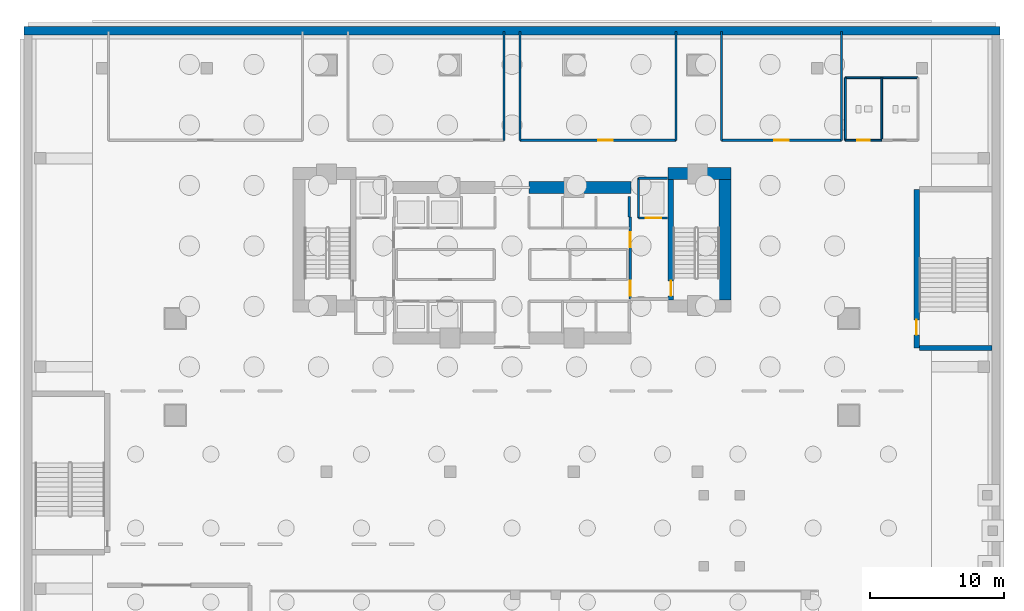
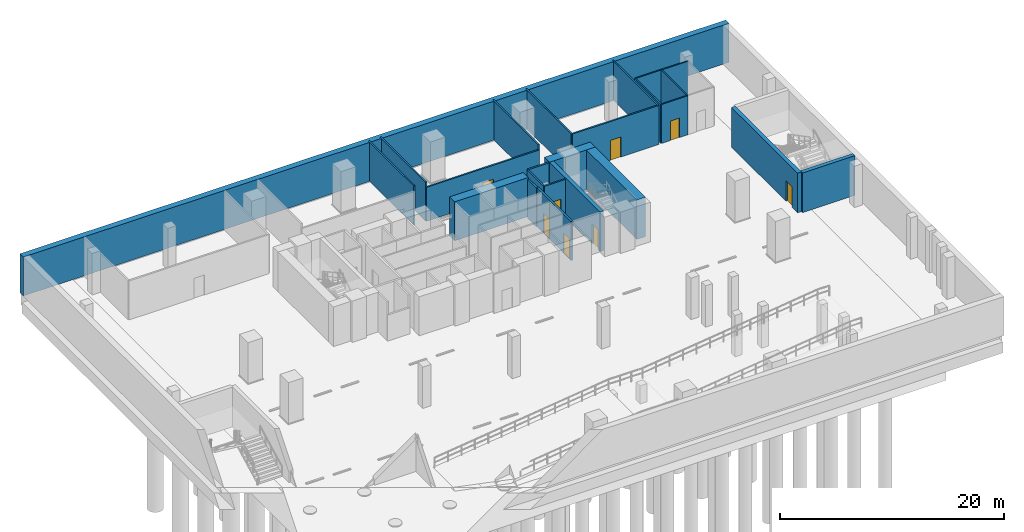
# One storey, part 5 of 13: 23 walls, 8 doors, 8 openings.
"""IFC4 building model written with IfcOpenShell, lengths in metres."""

from ifc_helpers import new_model, si_unit, direction, frame, frame_2d, origin, place, context, subcontext, project, spatial, rectangle, extrude, material, layer, layer_set, type_object, element, fill, save


model = new_model("IFC4")

# Units and contexts
model_context = context("Model", 3, precision=1e-05, world=origin(), true_north=direction((0.0, 1.0)))
body_context = subcontext(model_context, "Body", "Model", "MODEL_VIEW")
ifc_project = project(units=[si_unit("LENGTHUNIT", "METRE"), si_unit("AREAUNIT", "SQUARE_METRE"), si_unit("VOLUMEUNIT", "CUBIC_METRE"), si_unit("PLANEANGLEUNIT", "RADIAN"), si_unit("MASSUNIT", "GRAM", prefix="KILO")], contexts=[model_context])

# Site, building, storey
site_placement = place(None, origin())
site = spatial("IfcSite", under=ifc_project, at=site_placement, CompositionType="ELEMENT")
building_placement = place(site_placement, origin())
building = spatial("IfcBuilding", under=site, at=building_placement, Name="Zuhayl Quay Hotel", CompositionType="ELEMENT")
storey_placement = place(building_placement, frame((0.0, 0.0, -9.0)))
storey = spatial("IfcBuildingStorey", under=building, at=storey_placement, Name="B2", CompositionType="ELEMENT", Elevation=-9.0)

# Walls
ifc_material_1 = material(Name="Concrete C70/85", Category="concrete")
ifc_layer_1 = layer(ifc_material_1, 0.89990234375, Name="Concrete C70/85", Category="concrete")
ifc_layer_set_1 = layer_set([ifc_layer_1], Name="Concrete C70/85")
wall_type_1 = type_object("IfcWallType", Name="WL_CORE_900", PredefinedType="SHEAR", material=ifc_layer_set_1)
wall_1_placement = place(storey_placement, frame((11.60009765625, 14.3798828125, 0.0), z_axis=(0.0, 0.0, 1.0), x_axis=(1.0, 0.0, 0.0)))
element("IfcWall", 1, at=wall_1_placement, inside=storey, type_object=wall_type_1, Name="B2 Core Shear Wall CW_NE", PredefinedType="SHEAR", context=body_context, shape_type="SweptSolid", body=[
    extrude(rectangle(XDim=4.7099609375, YDim=0.89990234375, at=frame_2d((2.35498046875, 0.0))), origin(), (0.0, 0.0, 1.0), 4.31005859375),
])
wall_2_placement = place(storey_placement, frame((15.860107421875, 4.969970703125, 0.0), z_axis=(0.0, 0.0, 1.0), x_axis=(0.0, 1.0, 0.0)))
element("IfcWall", 2, at=wall_2_placement, inside=storey, type_object=wall_type_1, Name="B2 Core Shear Wall CW_E", PredefinedType="SHEAR", context=body_context, shape_type="SweptSolid", body=[
    extrude(rectangle(XDim=8.9599609375, YDim=0.89990234375, at=frame_2d((4.47998046875, 0.0))), origin(), (0.0, 0.0, 1.0), 4.31005859375),
])
wall_3_placement = place(storey_placement, frame((1.25, 13.35009765625, 0.0), z_axis=(0.0, 0.0, 1.0), x_axis=(1.0, 0.0, 0.0)))
element("IfcWall", 3, at=wall_3_placement, inside=storey, type_object=wall_type_1, Name="B2 Core Shear Wall CW_NC_E", PredefinedType="SHEAR", context=body_context, shape_type="SweptSolid", body=[
    extrude(rectangle(XDim=7.60009765625, YDim=0.89990234375, at=frame_2d((3.800048828125, 0.0))), origin(), (0.0, 0.0, 1.0), 4.239990234375),
])
ifc_material_2 = material(Name="Acoustic Gypsum Partition STC-58")
ifc_layer_2 = layer(ifc_material_2, 0.14990234375, Name="Acoustic Gypsum Partition STC-58")
ifc_layer_set_2 = layer_set([ifc_layer_2], Name="Acoustic Gypsum Partition STC-58")
wall_type_2 = type_object("IfcWallType", Name="WL_PART_150", PredefinedType="PARTITIONING", material=ifc_layer_set_2)
for number, where, z_axis, x_axis, name in (
    (4, (-0.60009765625, 16.85009765625, 0.0), (0.0, 0.0, 1.0), (0.0, 1.0, 0.0), "B2 Partition IW_B2_FIREPUMP_E"),
    (5, (0.60009765625, 16.85009765625, 0.0), (0.0, 0.0, 1.0), (0.0, 1.0, 0.0), "B2 Partition IW_B2_SUBSTAT_W"),
    (6, (12.199951171875, 16.85009765625, 0.0), (0.0, 0.0, 1.0), (0.0, 1.0, 0.0), "B2 Partition IW_B2_SUBSTAT_E"),
    (7, (15.60009765625, 16.85009765625, 0.0), (0.0, 0.0, 1.0), (0.0, 1.0, 0.0), "B2 Partition IW_B2_WATER_W"),
    (8, (24.5, 16.85009765625, 0.0), (0.0, 0.0, 1.0), (0.0, 1.0, 0.0), "B2 Partition IW_B2_WATER_E"),
):
    element("IfcWall", number, at=place(storey_placement, frame(where, z_axis=z_axis, x_axis=x_axis)), inside=storey, type_object=wall_type_2, Name=name, PredefinedType="PARTITIONING", context=body_context, shape_type="SweptSolid", body=[
        extrude(rectangle(XDim=8.08984375, YDim=0.14990234375, at=frame_2d((4.044921875, 0.0))), origin(), (0.0, 0.0, 1.0), 4.239990234375),
    ])

# Wall, opening, door
ifc_layer_3 = layer(ifc_material_2, 0.159912109375, Name="Acoustic Gypsum Partition STC-58")
ifc_layer_set_3 = layer_set([ifc_layer_3], Name="Acoustic Gypsum Partition STC-58")
wall_type_3 = type_object("IfcWallType", Name="WL_PART_CORR_160", PredefinedType="PARTITIONING", material=ifc_layer_set_3)
wall_4_placement = place(storey_placement, frame((0.60009765625, 16.85009765625, 0.0), z_axis=(0.0, 0.0, 1.0), x_axis=(1.0, 0.0, 0.0)))
wall_4 = element("IfcWall", 9, at=wall_4_placement, inside=storey, type_object=wall_type_3, Name="B2 Partition IW_B2_SUBSTAT_S", PredefinedType="PARTITIONING", context=body_context, shape_type="SweptSolid", body=[
    extrude(rectangle(XDim=11.599853515625, YDim=0.159912109375, at=frame_2d((5.7998046875, 0.0))), origin(), (0.0, 0.0, 1.0), 3.70703125),
])
opening_1_placement = place(wall_4_placement, frame((5.81005859375, 0.0, 0.0)))
opening_1 = element("IfcOpeningElement", 10, at=opening_1_placement, cuts=wall_4, Name="Opening D05A", PredefinedType="OPENING", context=body_context, shape_type="SweptSolid", body=[
    extrude(rectangle(XDim=1.080078125, YDim=2.179931640625, at=frame_2d((0.5400390625, 1.08984375))), frame((0.0, 0.08984375, 0.0), z_axis=(0.0, -1.0, 0.0), x_axis=(1.0, 0.0, 0.0)), (0.0, 0.0, 1.0), 0.179931640625),
])
ifc_material_3 = material(Name="Solid Walnut Acoustic Fire Door")
door_type_1 = type_object("IfcDoorType", Name="DR_INT_1100", OperationType="NOTDEFINED", PredefinedType="DOOR", material=ifc_material_3)
door_1_placement = place(opening_1_placement, origin())
door_1 = element("IfcDoor", 11, at=door_1_placement, inside=storey, type_object=door_type_1, Name="B2 HV Electrical Substation Door", OperationType="SINGLE_SWING_RIGHT", OverallHeight=2.179931640625, OverallWidth=1.080078125, PredefinedType="DOOR", context=body_context, shape_type="SweptSolid", body=[
    extrude(rectangle(XDim=1.080078125, YDim=2.179931640625, at=frame_2d((0.5400390625, 1.08984375))), frame((0.0, 0.02490234375, 0.0), z_axis=(0.0, -1.0, 0.0), x_axis=(1.0, 0.0, 0.0)), (0.0, 0.0, 1.0), 0.050048828125),
])
fill(opening_1, door_1)

wall_5_placement = place(storey_placement, frame((15.60009765625, 16.85009765625, 0.0), z_axis=(0.0, 0.0, 1.0), x_axis=(1.0, 0.0, 0.0)))
wall_5 = element("IfcWall", 12, at=wall_5_placement, inside=storey, type_object=wall_type_3, Name="B2 Partition IW_B2_WATER_S", PredefinedType="PARTITIONING", context=body_context, shape_type="SweptSolid", body=[
    extrude(rectangle(XDim=8.89990234375, YDim=0.159912109375, at=frame_2d((4.449951171875, 0.0))), origin(), (0.0, 0.0, 1.0), 4.239990234375),
])
opening_2_placement = place(wall_5_placement, frame((3.909912109375, 0.0, 0.0)))
opening_2 = element("IfcOpeningElement", 13, at=opening_2_placement, cuts=wall_5, Name="Opening D05A", PredefinedType="OPENING", context=body_context, shape_type="SweptSolid", body=[
    extrude(rectangle(XDim=1.080078125, YDim=2.179931640625, at=frame_2d((0.5400390625, 1.08984375))), frame((0.0, 0.08984375, 0.0), z_axis=(0.0, -1.0, 0.0), x_axis=(1.0, 0.0, 0.0)), (0.0, 0.0, 1.0), 0.179931640625),
])
door_2_placement = place(opening_2_placement, origin())
door_2 = element("IfcDoor", 14, at=door_2_placement, inside=storey, type_object=door_type_1, Name="B2 Domestic Water Treatment Plant Door", OperationType="SINGLE_SWING_LEFT", OverallHeight=2.179931640625, OverallWidth=1.080078125, PredefinedType="DOOR", context=body_context, shape_type="SweptSolid", body=[
    extrude(rectangle(XDim=1.080078125, YDim=2.179931640625, at=frame_2d((0.5400390625, 1.08984375))), frame((0.0, 0.02490234375, 0.0), z_axis=(0.0, -1.0, 0.0), x_axis=(1.0, 0.0, 0.0)), (0.0, 0.0, 1.0), 0.050048828125),
])
fill(opening_2, door_2)

ifc_material_4 = material(Name="Moisture-Resistant Sanitarychase Gypsum")
ifc_layer_4 = layer(ifc_material_4, 0.135009765625, Name="Moisture-Resistant Sanitarychase Gypsum")
ifc_layer_set_4 = layer_set([ifc_layer_4], Name="Moisture-Resistant Sanitarychase Gypsum")
wall_type_4 = type_object("IfcWallType", Name="WL_PART_PLUMB_150", PredefinedType="PLUMBINGWALL", material=ifc_layer_set_4)
wall_6_placement = place(storey_placement, frame((24.800048828125, 16.85009765625, 0.0), z_axis=(0.0, 0.0, 1.0), x_axis=(1.0, 0.0, 0.0)))
wall_6 = element("IfcWall", 15, at=wall_6_placement, inside=storey, type_object=wall_type_4, Name="B2 Partition IW_B2_BWC_PUB_F", PredefinedType="PLUMBINGWALL", context=body_context, shape_type="SweptSolid", body=[
    extrude(rectangle(XDim=2.699951171875, YDim=0.135009765625, at=frame_2d((1.35009765625, 0.0))), origin(), (0.0, 0.0, 1.0), 4.239990234375),
])
opening_3_placement = place(wall_6_placement, frame((0.889892578125, 0.0, 0.0)))
opening_3 = element("IfcOpeningElement", 16, at=opening_3_placement, cuts=wall_6, Name="Opening D05", PredefinedType="OPENING", context=body_context, shape_type="SweptSolid", body=[
    extrude(rectangle(XDim=0.919921875, YDim=2.1201171875, at=frame_2d((0.4599609375, 1.06005859375))), frame((0.0, 0.077392578125, 0.0), z_axis=(0.0, -1.0, 0.0), x_axis=(1.0, 0.0, 0.0)), (0.0, 0.0, 1.0), 0.155029296875),
])
door_type_2 = type_object("IfcDoorType", Name="DR_INT_950", OperationType="NOTDEFINED", PredefinedType="DOOR", material=ifc_material_3)
door_3_placement = place(opening_3_placement, origin())
door_3 = element("IfcDoor", 17, at=door_3_placement, inside=storey, type_object=door_type_2, Name="B2 Public Restroom Door", OperationType="SINGLE_SWING_RIGHT", OverallHeight=2.1201171875, OverallWidth=0.919921875, PredefinedType="DOOR", context=body_context, shape_type="SweptSolid", body=[
    extrude(rectangle(XDim=0.919921875, YDim=2.1201171875, at=frame_2d((0.4599609375, 1.06005859375))), frame((0.0, 0.02490234375, 0.0), z_axis=(0.0, -1.0, 0.0), x_axis=(1.0, 0.0, 0.0)), (0.0, 0.0, 1.0), 0.050048828125),
])
fill(opening_3, door_3)

# Walls
wall_7_placement = place(storey_placement, frame((24.800048828125, 21.5, 0.0), z_axis=(0.0, 0.0, 1.0), x_axis=(1.0, 0.0, 0.0)))
element("IfcWall", 18, at=wall_7_placement, inside=storey, type_object=wall_type_4, Name="B2 Partition IW_B2_BWC_BK", PredefinedType="PLUMBINGWALL", context=body_context, shape_type="SweptSolid", body=[
    extrude(rectangle(XDim=5.39990234375, YDim=0.135009765625, at=frame_2d((2.699951171875, 0.0))), origin(), (0.0, 0.0, 1.0), 4.239990234375),
])
for number, where, z_axis, x_axis, name in (
    (19, (24.800048828125, 16.85009765625, 0.0), (0.0, 0.0, 1.0), (0.0, 1.0, 0.0), "B2 Partition IW_B2_BWC_W"),
    (20, (27.5, 16.85009765625, 0.0), (0.0, 0.0, 1.0), (0.0, 1.0, 0.0), "B2 Partition IW_B2_BWC_DIV"),
):
    element("IfcWall", number, at=place(storey_placement, frame(where, z_axis=z_axis, x_axis=x_axis)), inside=storey, type_object=wall_type_4, Name=name, PredefinedType="PLUMBINGWALL", context=body_context, shape_type="SweptSolid", body=[
        extrude(rectangle(XDim=4.64990234375, YDim=0.135009765625, at=frame_2d((2.324951171875, 0.0))), origin(), (0.0, 0.0, 1.0), 4.239990234375),
    ])

# Wall, opening, door
ifc_material_5 = material(Name="Gypsum Fireboard Assembly EI-90")
ifc_layer_5 = layer(ifc_material_5, 0.1650390625, Name="Gypsum Fireboard Assembly EI-90")
ifc_layer_set_5 = layer_set([ifc_layer_5], Name="Gypsum Fireboard Assembly EI-90")
wall_type_5 = type_object("IfcWallType", Name="WL_PART_SHAFT_160", PredefinedType="PARTITIONING", material=ifc_layer_set_5)
wall_8_placement = place(storey_placement, frame((9.419921875, 11.070068359375, 0.0), z_axis=(0.0, 0.0, 1.0), x_axis=(1.0, 0.0, 0.0)))
wall_8 = element("IfcWall", 21, at=wall_8_placement, inside=storey, type_object=wall_type_5, Name="B2 Partition IW_B2_SH_FL2_F", PredefinedType="PARTITIONING", context=body_context, shape_type="SweptSolid", body=[
    extrude(rectangle(XDim=2.16015625, YDim=0.1650390625, at=frame_2d((1.080078125, 0.0))), origin(), (0.0, 0.0, 1.0), 4.239990234375),
])
opening_4_placement = place(wall_8_placement, frame((0.530029296875, 0.0, 0.0)))
opening_4 = element("IfcOpeningElement", 22, at=opening_4_placement, cuts=wall_8, Name="Opening LD2", PredefinedType="OPENING", context=body_context, shape_type="SweptSolid", body=[
    extrude(rectangle(XDim=1.14990234375, YDim=2.25, at=frame_2d((0.574951171875, 1.125))), frame((0.0, 0.092529296875, 0.0), z_axis=(0.0, -1.0, 0.0), x_axis=(1.0, 0.0, 0.0)), (0.0, 0.0, 1.0), 0.18505859375),
])
ifc_material_6 = material(Name="Brushed Stainless Steel", Category="steel")
door_type_3 = type_object("IfcDoorType", Name="DR_LIFT_FF_1100", OperationType="SLIDING_TO_LEFT", PredefinedType="DOOR", material=ifc_material_6)
door_4_placement = place(opening_4_placement, origin())
door_4 = element("IfcDoor", 23, at=door_4_placement, inside=storey, type_object=door_type_3, Name="B2 Lift FL2 Sliding Landing Door", OperationType="SLIDING_TO_LEFT", OverallHeight=2.25, OverallWidth=1.14990234375, PredefinedType="DOOR", context=body_context, shape_type="SweptSolid", body=[
    extrude(rectangle(XDim=1.14990234375, YDim=2.25, at=frame_2d((0.574951171875, 1.125))), frame((0.0, 0.02490234375, 0.0), z_axis=(0.0, -1.0, 0.0), x_axis=(1.0, 0.0, 0.0)), (0.0, 0.0, 1.0), 0.050048828125),
])
fill(opening_4, door_4)

# Walls
wall_9_placement = place(storey_placement, frame((9.419921875, 11.070068359375, 0.0), z_axis=(0.0, 0.0, 1.0), x_axis=(0.0, 1.0, 0.0)))
element("IfcWall", 24, at=wall_9_placement, inside=storey, type_object=wall_type_5, Name="B2 Partition IW_B2_SH_FL2_W", PredefinedType="PARTITIONING", context=body_context, shape_type="SweptSolid", body=[
    extrude(rectangle(XDim=2.9599609375, YDim=0.1650390625, at=frame_2d((1.47998046875, 0.0))), origin(), (0.0, 0.0, 1.0), 4.239990234375),
])
wall_10_placement = place(storey_placement, frame((9.419921875, 14.030029296875, 0.0), z_axis=(0.0, 0.0, 1.0), x_axis=(1.0, 0.0, 0.0)))
element("IfcWall", 25, at=wall_10_placement, inside=storey, type_object=wall_type_5, Name="B2 Partition IW_B2_SH_FL2_B", PredefinedType="PARTITIONING", context=body_context, shape_type="SweptSolid", body=[
    extrude(rectangle(XDim=2.16015625, YDim=0.1650390625, at=frame_2d((1.080078125, 0.0))), origin(), (0.0, 0.0, 1.0), 4.239990234375),
])
wall_11_placement = place(storey_placement, frame((8.72998046875, 11.14990234375, 0.0), z_axis=(0.0, 0.0, 1.0), x_axis=(0.0, 1.0, 0.0)))
element("IfcWall", 26, at=wall_11_placement, inside=storey, type_object=wall_type_5, Name="B2 Partition IW_B2_SH_HP4_E", PredefinedType="PARTITIONING", context=body_context, shape_type="SweptSolid", body=[
    extrude(rectangle(XDim=1.530029296875, YDim=0.1650390625, at=frame_2d((0.76513671875, 0.0))), origin(), (0.0, 0.0, 1.0), 4.239990234375),
])

# Wall, openings, doors
ifc_material_7 = material(Name="Gypsum Fireboard Assembly EI-120")
ifc_layer_6 = layer(ifc_material_7, 0.199951171875, Name="Gypsum Fireboard Assembly EI-120")
ifc_layer_set_6 = layer_set([ifc_layer_6], Name="Gypsum Fireboard Assembly EI-120")
wall_type_6 = type_object("IfcWallType", Name="WL_PART_SHAFT_200", PredefinedType="PARTITIONING", material=ifc_layer_set_6)
wall_12_placement = place(storey_placement, frame((8.800048828125, 11.14990234375, 0.0), z_axis=(0.0, 0.0, 1.0), x_axis=(0.0, -1.0, 0.0)))
wall_12 = element("IfcWall", 27, at=wall_12_placement, inside=storey, type_object=wall_type_6, Name="B2 Partition IW_B2_FSAE_E_W", PredefinedType="PARTITIONING", context=body_context, shape_type="SweptSolid", body=[
    extrude(rectangle(XDim=6.099853515625, YDim=0.199951171875, at=frame_2d((3.0498046875, 0.0))), origin(), (0.0, 0.0, 1.0), 4.239990234375),
])
opening_5_placement = place(wall_12_placement, frame((1.14990234375, 0.0, 0.0)))
opening_5 = element("IfcOpeningElement", 28, at=opening_5_placement, cuts=wall_12, Name="Opening D02", PredefinedType="OPENING", context=body_context, shape_type="SweptSolid", body=[
    extrude(rectangle(XDim=1.10009765625, YDim=2.199951171875, at=frame_2d((0.550048828125, 1.10009765625))), frame((0.0, 0.10986328125, 0.0), z_axis=(0.0, -1.0, 0.0), x_axis=(1.0, 0.0, 0.0)), (0.0, 0.0, 1.0), 0.219970703125),
])
opening_6_placement = place(wall_12_placement, frame((4.75, 0.0, 0.0)))
opening_6 = element("IfcOpeningElement", 29, at=opening_6_placement, cuts=wall_12, Name="Opening D02", PredefinedType="OPENING", context=body_context, shape_type="SweptSolid", body=[
    extrude(rectangle(XDim=1.10009765625, YDim=2.199951171875, at=frame_2d((0.550048828125, 1.10009765625))), frame((0.0, 0.10986328125, 0.0), z_axis=(0.0, -1.0, 0.0), x_axis=(1.0, 0.0, 0.0)), (0.0, 0.0, 1.0), 0.219970703125),
])
ifc_material_8 = material(Name="Steel ASTM A992 Grade 50", Category="steel")
door_type_4 = type_object("IfcDoorType", Name="DR_FIRE_90_1100", OperationType="NOTDEFINED", PredefinedType="DOOR", material=ifc_material_8)
door_5_placement = place(opening_5_placement, origin())
door_5 = element("IfcDoor", 30, at=door_5_placement, inside=storey, type_object=door_type_4, Name="B2 FSAE Lobby East North Entry Door", OperationType="SINGLE_SWING_RIGHT", OverallHeight=2.199951171875, OverallWidth=1.10009765625, PredefinedType="DOOR", context=body_context, shape_type="SweptSolid", body=[
    extrude(rectangle(XDim=1.10009765625, YDim=2.199951171875, at=frame_2d((0.550048828125, 1.10009765625))), frame((0.0, 0.02490234375, 0.0), z_axis=(0.0, -1.0, 0.0), x_axis=(1.0, 0.0, 0.0)), (0.0, 0.0, 1.0), 0.050048828125),
])
fill(opening_5, door_5)
door_6_placement = place(opening_6_placement, origin())
door_6 = element("IfcDoor", 31, at=door_6_placement, inside=storey, type_object=door_type_4, Name="B2 FSAE Lobby East South Entry Door", OperationType="SINGLE_SWING_LEFT", OverallHeight=2.199951171875, OverallWidth=1.10009765625, PredefinedType="DOOR", context=body_context, shape_type="SweptSolid", body=[
    extrude(rectangle(XDim=1.10009765625, YDim=2.199951171875, at=frame_2d((0.550048828125, 1.10009765625))), frame((0.0, 0.02490234375, 0.0), z_axis=(0.0, -1.0, 0.0), x_axis=(1.0, 0.0, 0.0)), (0.0, 0.0, 1.0), 0.050048828125),
])
fill(opening_6, door_6)

# Wall
ifc_material_9 = material(Name="Concrete C50/60", Category="concrete")
ifc_layer_7 = layer(ifc_material_9, 0.60009765625, Name="Concrete C50/60", Category="concrete")
ifc_layer_set_7 = layer_set([ifc_layer_7], Name="Concrete C50/60")
wall_type_7 = type_object("IfcWallType", Name="WL_RET_600", PredefinedType="USERDEFINED", material=ifc_layer_set_7)
wall_13_placement = place(storey_placement, frame((-36.300048828125, 25.0, 0.0), z_axis=(0.0, 0.0, 1.0), x_axis=(1.0, 0.0, 0.0)))
element("IfcWall", 32, at=wall_13_placement, inside=storey, type_object=wall_type_7, Name="B2 Basement Retaining Wall N", ObjectType="RETAINING WALL", PredefinedType="USERDEFINED", context=body_context, shape_type="SweptSolid", body=[
    extrude(rectangle(XDim=72.60009765625, YDim=0.60009765625, at=frame_2d((36.300048828125, 0.0))), origin(), (0.0, 0.0, 1.0), 4.239990234375),
])

# Wall, opening, door
ifc_material_10 = material(Name="Concrete C60/75", Category="concrete")
ifc_layer_8 = layer(ifc_material_10, 0.39990234375, Name="Concrete C60/75", Category="concrete")
ifc_layer_set_8 = layer_set([ifc_layer_8], Name="Concrete C60/75")
wall_type_8 = type_object("IfcWallType", Name="WL_STAIR_400", PredefinedType="SHEAR", material=ifc_layer_set_8)
wall_14_placement = place(storey_placement, frame((11.820068359375, 13.929931640625, 0.0), z_axis=(0.0, 0.0, 1.0), x_axis=(0.0, -1.0, 0.0)))
wall_14 = element("IfcWall", 33, at=wall_14_placement, inside=storey, type_object=wall_type_8, Name="B2 Core Shear Wall SW_ST2", PredefinedType="SHEAR", context=body_context, shape_type="SweptSolid", body=[
    extrude(rectangle(XDim=8.9599609375, YDim=0.39990234375, at=frame_2d((4.47998046875, 0.0))), origin(), (0.0, 0.0, 1.0), 4.31005859375),
])
opening_7_placement = place(wall_14_placement, frame((7.530029296875, 0.0, 0.0)))
opening_7 = element("IfcOpeningElement", 34, at=opening_7_placement, cuts=wall_14, Name="Opening D01", PredefinedType="OPENING", context=body_context, shape_type="SweptSolid", body=[
    extrude(rectangle(XDim=1.1201171875, YDim=2.219970703125, at=frame_2d((0.56005859375, 1.10986328125))), frame((0.0, 0.2099609375, 0.0), z_axis=(0.0, -1.0, 0.0), x_axis=(1.0, 0.0, 0.0)), (0.0, 0.0, 1.0), 0.419921875),
])
door_type_5 = type_object("IfcDoorType", Name="DR_STAIR_90_1100", OperationType="NOTDEFINED", PredefinedType="DOOR", material=ifc_material_8)
door_7_placement = place(opening_7_placement, origin())
door_7 = element("IfcDoor", 35, at=door_7_placement, inside=storey, type_object=door_type_5, Name="B2 Smokeproof Exit Stair ST2 Door", OperationType="SINGLE_SWING_RIGHT", OverallHeight=2.219970703125, OverallWidth=1.1201171875, PredefinedType="DOOR", context=body_context, shape_type="SweptSolid", body=[
    extrude(rectangle(XDim=1.1201171875, YDim=2.219970703125, at=frame_2d((0.56005859375, 1.10986328125))), frame((0.0, 0.02490234375, 0.0), z_axis=(0.0, -1.0, 0.0), x_axis=(1.0, 0.0, 0.0)), (0.0, 0.0, 1.0), 0.050048828125),
])
fill(opening_7, door_7)

wall_15_placement = place(storey_placement, frame((30.10009765625, 13.199951171875, 0.0), z_axis=(0.0, 0.0, 1.0), x_axis=(0.0, -1.0, 0.0)))
wall_15 = element("IfcWall", 36, at=wall_15_placement, inside=storey, type_object=wall_type_8, Name="B2 Podium Stair Shear Wall SW_ST4_W", PredefinedType="SHEAR", context=body_context, shape_type="SweptSolid", body=[
    extrude(rectangle(XDim=11.800048828125, YDim=0.39990234375, at=frame_2d((5.89990234375, 0.0))), origin(), (0.0, 0.0, 1.0), 4.31005859375),
])
opening_8_placement = place(wall_15_placement, frame((9.699951171875, 0.0, 0.0)))
opening_8 = element("IfcOpeningElement", 37, at=opening_8_placement, cuts=wall_15, Name="Opening D01", PredefinedType="OPENING", context=body_context, shape_type="SweptSolid", body=[
    extrude(rectangle(XDim=1.1201171875, YDim=2.219970703125, at=frame_2d((0.56005859375, 1.10986328125))), frame((0.0, 0.2099609375, 0.0), z_axis=(0.0, -1.0, 0.0), x_axis=(1.0, 0.0, 0.0)), (0.0, 0.0, 1.0), 0.419921875),
])
door_8_placement = place(opening_8_placement, origin())
door_8 = element("IfcDoor", 38, at=door_8_placement, inside=storey, type_object=door_type_5, Name="B2 Podium Exit Stair ST4 Door", OperationType="SINGLE_SWING_LEFT", OverallHeight=2.219970703125, OverallWidth=1.1201171875, PredefinedType="DOOR", context=body_context, shape_type="SweptSolid", body=[
    extrude(rectangle(XDim=1.1201171875, YDim=2.219970703125, at=frame_2d((0.56005859375, 1.10986328125))), frame((0.0, 0.02490234375, 0.0), z_axis=(0.0, -1.0, 0.0), x_axis=(1.0, 0.0, 0.0)), (0.0, 0.0, 1.0), 0.050048828125),
])
fill(opening_8, door_8)

# Wall
wall_16_placement = place(storey_placement, frame((30.300048828125, 1.39990234375, 0.0), z_axis=(0.0, 0.0, 1.0), x_axis=(1.0, 0.0, 0.0)))
element("IfcWall", 39, at=wall_16_placement, inside=storey, type_object=wall_type_8, Name="B2 Podium Stair Shear Wall SW_ST4_S", PredefinedType="SHEAR", context=body_context, shape_type="SweptSolid", body=[
    extrude(rectangle(XDim=5.39990234375, YDim=0.39990234375, at=frame_2d((2.699951171875, 0.0))), origin(), (0.0, 0.0, 1.0), 4.31005859375),
])

save(model, "model.ifc")
